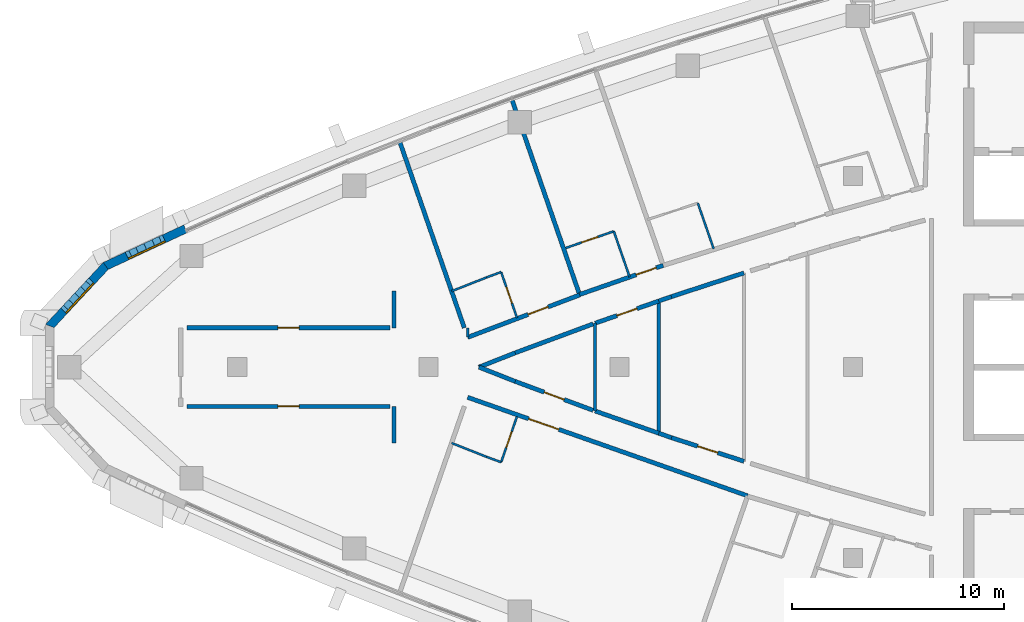
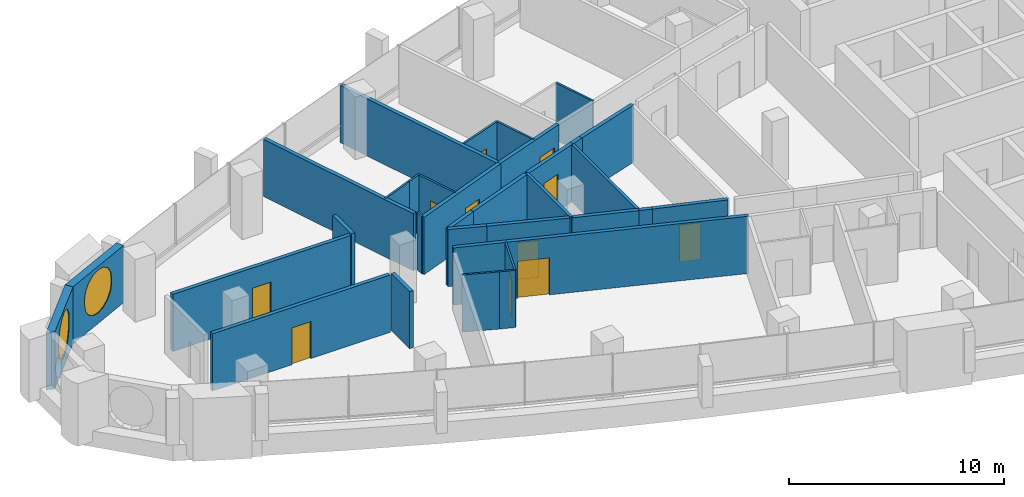
# One storey, part 7 of 14: 33 walls, 11 doors, 2 windows, 13 openings.
"""IFC4 building model written with IfcOpenShell, lengths in metres."""

from ifc_helpers import new_model, si_unit, direction, frame, frame_2d, origin, place, context, subcontext, project, spatial, polyline, rectangle, outline, extrude, material, layer, layer_set, type_object, element, fill, save


model = new_model("IFC4")

# Units and contexts
model_context = context("Model", 3, precision=1e-05, world=origin(), true_north=direction((0.0, 1.0)))
body_context = subcontext(model_context, "Body", "Model", "MODEL_VIEW")
ifc_project = project(units=[si_unit("LENGTHUNIT", "METRE"), si_unit("AREAUNIT", "SQUARE_METRE"), si_unit("VOLUMEUNIT", "CUBIC_METRE"), si_unit("PLANEANGLEUNIT", "RADIAN"), si_unit("MASSUNIT", "GRAM", prefix="KILO")], contexts=[model_context])

# Site, building, storey
site_placement = place(None, origin())
site = spatial("IfcSite", under=ifc_project, at=site_placement, CompositionType="ELEMENT")
building_placement = place(site_placement, origin())
building = spatial("IfcBuilding", under=site, at=building_placement, Name="Ostrand Prow Hotel Tower", CompositionType="ELEMENT")
storey_placement = place(building_placement, frame((0.0, 0.0, 296.300048828125)))
storey = spatial("IfcBuildingStorey", under=building, at=storey_placement, Name="L75", CompositionType="ELEMENT", Elevation=296.300048828125)

# Walls
ifc_material_1 = material(Name="Plasterboard partition")
ifc_layer_1 = layer(ifc_material_1, 0.10009765625)
ifc_layer_set_1 = layer_set([ifc_layer_1], Name="Plasterboard partition")
wall_type_1 = type_object("IfcWallType", Name="Partition 100 bathroom wall", PredefinedType="PARTITIONING", material=ifc_layer_set_1)
wall_1_placement = place(storey_placement, frame((26.095703125, 3.576171875, 0.0), z_axis=(0.0, 0.0, 1.0), x_axis=(0.930254925629, 0.366913850028, 0.0)))
element("IfcWall", 1, at=wall_1_placement, inside=storey, type_object=wall_type_1, Name="BATHROOM WALL", PredefinedType="PARTITIONING", context=body_context, shape_type="SweptSolid", body=[
    extrude(rectangle(XDim=1.760009765625, YDim=0.10009765625, at=frame_2d((0.8798828125, 0.0))), origin(), (0.0, 0.0, 1.0), 3.25),
])
wall_2_placement = place(storey_placement, frame((27.73291015625, 4.221923828125, 0.0), z_axis=(0.0, 0.0, 1.0), x_axis=(0.937514267289, 0.347946833049, 0.0)))
element("IfcWall", 2, at=wall_2_placement, inside=storey, type_object=wall_type_1, Name="BATHROOM WALL", PredefinedType="PARTITIONING", context=body_context, shape_type="SweptSolid", body=[
    extrude(rectangle(XDim=0.74169921875, YDim=0.10009765625, at=frame_2d((0.370849609375, 0.0))), origin(), (0.0, 0.0, 1.0), 3.25),
])

# Wall, opening, door
wall_3_placement = place(storey_placement, frame((28.42822265625, 4.47998046875, 0.0), z_axis=(0.0, 0.0, 1.0), x_axis=(0.327718024288, -0.944775579996, 0.0)))
wall_3 = element("IfcWall", 3, at=wall_3_placement, inside=storey, type_object=wall_type_1, Name="BATHROOM WALL", PredefinedType="PARTITIONING", context=body_context, shape_type="SweptSolid", body=[
    extrude(rectangle(XDim=2.27734375, YDim=0.10009765625, at=frame_2d((1.138671875, 0.0))), origin(), (0.0, 0.0, 1.0), 3.25),
])
opening_1_placement = place(wall_3_placement, frame((0.75, 0.0, 0.0)))
opening_1 = element("IfcOpeningElement", 4, at=opening_1_placement, cuts=wall_3, Name="Opening D2", PredefinedType="OPENING", context=body_context, shape_type="SweptSolid", body=[
    extrude(rectangle(XDim=0.800048828125, YDim=2.10009765625, at=frame_2d((0.39990234375, 1.050048828125))), frame((0.0, 0.06005859375, 0.0), z_axis=(0.0, -1.0, 0.0), x_axis=(1.0, 0.0, 0.0)), (0.0, 0.0, 1.0), 0.1201171875),
])
ifc_material_2 = material(Name="Timber door leaf", Category="wood")
door_type_1 = type_object("IfcDoorType", Name="Bathroom door 800", OperationType="SINGLE_SWING_LEFT", PredefinedType="DOOR", material=ifc_material_2)
door_1_placement = place(opening_1_placement, origin())
door_1 = element("IfcDoor", 5, at=door_1_placement, inside=storey, type_object=door_type_1, Name="DOOR", OperationType="SINGLE_SWING_LEFT", OverallHeight=2.10009765625, OverallWidth=0.800048828125, PredefinedType="DOOR", context=body_context, shape_type="SweptSolid", body=[
    extrude(rectangle(XDim=0.800048828125, YDim=2.10009765625, at=frame_2d((0.39990234375, 1.050048828125))), frame((0.0, 0.02490234375, 0.0), z_axis=(0.0, -1.0, 0.0), x_axis=(1.0, 0.0, 0.0)), (0.0, 0.0, 1.0), 0.050048828125),
])
fill(opening_1, door_1)

wall_4_placement = place(storey_placement, frame((31.472900390625, 5.610595703125, 0.0), z_axis=(0.0, 0.0, 1.0), x_axis=(0.944305532659, 0.329069994059, 0.0)))
wall_4 = element("IfcWall", 6, at=wall_4_placement, inside=storey, type_object=wall_type_1, Name="BATHROOM WALL", PredefinedType="PARTITIONING", context=body_context, shape_type="SweptSolid", body=[
    extrude(rectangle(XDim=2.395751953125, YDim=0.10009765625, at=frame_2d((1.19775390625, 0.0))), origin(), (0.0, 0.0, 1.0), 3.25),
])
opening_2_placement = place(wall_4_placement, frame((0.800048828125, 0.0, 0.0)))
opening_2 = element("IfcOpeningElement", 7, at=opening_2_placement, cuts=wall_4, Name="Opening D2", PredefinedType="OPENING", context=body_context, shape_type="SweptSolid", body=[
    extrude(rectangle(XDim=0.800048828125, YDim=2.10009765625, at=frame_2d((0.39990234375, 1.050048828125))), frame((0.0, 0.06005859375, 0.0), z_axis=(0.0, -1.0, 0.0), x_axis=(1.0, 0.0, 0.0)), (0.0, 0.0, 1.0), 0.1201171875),
])
door_2_placement = place(opening_2_placement, origin())
door_2 = element("IfcDoor", 8, at=door_2_placement, inside=storey, type_object=door_type_1, Name="DOOR", OperationType="SINGLE_SWING_LEFT", OverallHeight=2.10009765625, OverallWidth=0.800048828125, PredefinedType="DOOR", context=body_context, shape_type="SweptSolid", body=[
    extrude(rectangle(XDim=0.800048828125, YDim=2.10009765625, at=frame_2d((0.39990234375, 1.050048828125))), frame((0.0, 0.02490234375, 0.0), z_axis=(0.0, -1.0, 0.0), x_axis=(1.0, 0.0, 0.0)), (0.0, 0.0, 1.0), 0.050048828125),
])
fill(opening_2, door_2)

# Walls
wall_5_placement = place(storey_placement, frame((33.7353515625, 6.39892578125, 0.0), z_axis=(0.0, 0.0, 1.0), x_axis=(0.32768871219, -0.944785747089, 0.0)))
element("IfcWall", 9, at=wall_5_placement, inside=storey, type_object=wall_type_1, Name="BATHROOM WALL", PredefinedType="PARTITIONING", context=body_context, shape_type="SweptSolid", body=[
    extrude(rectangle(XDim=2.27685546875, YDim=0.10009765625, at=frame_2d((1.138427734375, 0.0))), origin(), (0.0, 0.0, 1.0), 3.25),
])
wall_6_placement = place(storey_placement, frame((37.694091796875, 7.72412109375, 0.0), z_axis=(0.0, 0.0, 1.0), x_axis=(0.327622330203, -0.944808768351, 0.0)))
element("IfcWall", 10, at=wall_6_placement, inside=storey, type_object=wall_type_1, Name="BATHROOM WALL", PredefinedType="PARTITIONING", context=body_context, shape_type="SweptSolid", body=[
    extrude(rectangle(XDim=2.27734375, YDim=0.10009765625, at=frame_2d((1.138671875, 0.0))), origin(), (0.0, 0.0, 1.0), 3.25),
])

# Wall, opening, door
wall_7_placement = place(storey_placement, frame((29.174560546875, -2.328369140625, 0.0), z_axis=(0.0, 0.0, 1.0), x_axis=(-0.327718024288, -0.944775579996, 0.0)))
wall_7 = element("IfcWall", 11, at=wall_7_placement, inside=storey, type_object=wall_type_1, Name="BATHROOM WALL", PredefinedType="PARTITIONING", context=body_context, shape_type="SweptSolid", body=[
    extrude(rectangle(XDim=2.27734375, YDim=0.10009765625, at=frame_2d((1.138671875, 0.0))), origin(), (0.0, 0.0, 1.0), 3.25),
])
opening_3_placement = place(wall_7_placement, frame((0.75, 0.0, 0.0)))
opening_3 = element("IfcOpeningElement", 12, at=opening_3_placement, cuts=wall_7, Name="Opening D2", PredefinedType="OPENING", context=body_context, shape_type="SweptSolid", body=[
    extrude(rectangle(XDim=0.800048828125, YDim=2.10009765625, at=frame_2d((0.39990234375, 1.050048828125))), frame((0.0, 0.06005859375, 0.0), z_axis=(0.0, -1.0, 0.0), x_axis=(1.0, 0.0, 0.0)), (0.0, 0.0, 1.0), 0.1201171875),
])
door_3_placement = place(opening_3_placement, origin())
door_3 = element("IfcDoor", 13, at=door_3_placement, inside=storey, type_object=door_type_1, Name="DOOR", OperationType="SINGLE_SWING_LEFT", OverallHeight=2.10009765625, OverallWidth=0.800048828125, PredefinedType="DOOR", context=body_context, shape_type="SweptSolid", body=[
    extrude(rectangle(XDim=0.800048828125, YDim=2.10009765625, at=frame_2d((0.39990234375, 1.050048828125))), frame((0.0, 0.02490234375, 0.0), z_axis=(0.0, -1.0, 0.0), x_axis=(1.0, 0.0, 0.0)), (0.0, 0.0, 1.0), 0.050048828125),
])
fill(opening_3, door_3)

# Walls
wall_8_placement = place(storey_placement, frame((28.42822265625, -4.47998046875, 0.0), z_axis=(0.0, 0.0, 1.0), x_axis=(-0.937514267289, 0.347946833049, 0.0)))
element("IfcWall", 14, at=wall_8_placement, inside=storey, type_object=wall_type_1, Name="BATHROOM WALL", PredefinedType="PARTITIONING", context=body_context, shape_type="SweptSolid", body=[
    extrude(rectangle(XDim=0.74169921875, YDim=0.10009765625, at=frame_2d((0.370849609375, 0.0))), origin(), (0.0, 0.0, 1.0), 3.25),
])
wall_9_placement = place(storey_placement, frame((27.73291015625, -4.221923828125, 0.0), z_axis=(0.0, 0.0, 1.0), x_axis=(-0.930254925629, 0.366913850028, 0.0)))
element("IfcWall", 15, at=wall_9_placement, inside=storey, type_object=wall_type_1, Name="BATHROOM WALL", PredefinedType="PARTITIONING", context=body_context, shape_type="SweptSolid", body=[
    extrude(rectangle(XDim=1.760009765625, YDim=0.10009765625, at=frame_2d((0.8798828125, 0.0))), origin(), (0.0, 0.0, 1.0), 3.25),
])
wall_10_placement = place(storey_placement, frame((26.8564453125, 1.4091796875, 0.0), z_axis=(0.0, 0.0, 1.0), x_axis=(-0.003863105832, 0.999992538179, 0.0)))
element("IfcWall", 16, at=wall_10_placement, inside=storey, type_object=wall_type_1, Name="BATHROOM WALL", PredefinedType="PARTITIONING", context=body_context, shape_type="SweptSolid", body=[
    extrude(rectangle(XDim=0.4423828125, YDim=0.10009765625, at=frame_2d((0.22119140625, 0.0))), origin(), (0.0, 0.0, 1.0), 3.25),
])
ifc_material_3 = material(Name="Plasterboard partition")
ifc_layer_2 = layer(ifc_material_3, 0.14990234375)
ifc_layer_set_2 = layer_set([ifc_layer_2], Name="Plasterboard partition")
wall_type_2 = type_object("IfcWallType", Name="Partition 150 room partition", PredefinedType="PARTITIONING", material=ifc_layer_set_2)
wall_11_placement = place(storey_placement, frame((32.85498046875, -2.06787109375, 0.0), z_axis=(0.0, 0.0, 1.0), x_axis=(0.0, 1.0, 0.0)))
element("IfcWall", 17, at=wall_11_placement, inside=storey, type_object=wall_type_2, Name="ROOM PARTITION", PredefinedType="PARTITIONING", context=body_context, shape_type="SweptSolid", body=[
    extrude(rectangle(XDim=4.1357421875, YDim=0.14990234375, at=frame_2d((2.06787109375, 0.0))), origin(), (0.0, 0.0, 1.0), 3.25),
])
wall_12_placement = place(storey_placement, frame((35.85498046875, -3.11376953125, 0.0), z_axis=(0.0, 0.0, 1.0), x_axis=(0.0, 1.0, 0.0)))
element("IfcWall", 18, at=wall_12_placement, inside=storey, type_object=wall_type_2, Name="ROOM PARTITION", PredefinedType="PARTITIONING", context=body_context, shape_type="SweptSolid", body=[
    extrude(rectangle(XDim=6.2275390625, YDim=0.14990234375, at=frame_2d((3.11376953125, 0.0))), origin(), (0.0, 0.0, 1.0), 3.25),
])

# Wall, opening, door
ifc_material_4 = material(Name="Plasterboard partition")
ifc_layer_3 = layer(ifc_material_4, 0.199951171875)
ifc_layer_set_3 = layer_set([ifc_layer_3], Name="Plasterboard partition")
wall_type_3 = type_object("IfcWallType", Name="Partition 200 corridor wall", PredefinedType="PARTITIONING", material=ifc_layer_set_3)
wall_13_placement = place(storey_placement, frame((13.63720703125, 1.85009765625, 0.0), z_axis=(0.0, 0.0, 1.0), x_axis=(1.0, 0.0, 0.0)))
wall_13 = element("IfcWall", 19, at=wall_13_placement, inside=storey, type_object=wall_type_3, Name="CORRIDOR WALL", PredefinedType="PARTITIONING", context=body_context, shape_type="SweptSolid", body=[
    extrude(rectangle(XDim=9.548583984375, YDim=0.199951171875, at=frame_2d((4.7744140625, 0.0))), origin(), (0.0, 0.0, 1.0), 3.25),
])
opening_4_placement = place(wall_13_placement, frame((4.2744140625, 0.0, 0.0)))
opening_4 = element("IfcOpeningElement", 20, at=opening_4_placement, cuts=wall_13, Name="Opening D1", PredefinedType="OPENING", context=body_context, shape_type="SweptSolid", body=[
    extrude(rectangle(XDim=1.0, YDim=2.10009765625, at=frame_2d((0.5, 1.050048828125))), frame((0.0, 0.10986328125, 0.0), z_axis=(0.0, -1.0, 0.0), x_axis=(1.0, 0.0, 0.0)), (0.0, 0.0, 1.0), 0.219970703125),
])
ifc_material_5 = material(Name="Timber door leaf", Category="wood")
door_type_2 = type_object("IfcDoorType", Name="Guest room door 1000", OperationType="SINGLE_SWING_LEFT", PredefinedType="DOOR", material=ifc_material_5)
door_4_placement = place(opening_4_placement, origin())
door_4 = element("IfcDoor", 21, at=door_4_placement, inside=storey, type_object=door_type_2, Name="DOOR", OperationType="SINGLE_SWING_LEFT", OverallHeight=2.10009765625, OverallWidth=1.0, PredefinedType="DOOR", context=body_context, shape_type="SweptSolid", body=[
    extrude(rectangle(XDim=1.0, YDim=2.10009765625, at=frame_2d((0.5, 1.050048828125))), frame((0.0, 0.02490234375, 0.0), z_axis=(0.0, -1.0, 0.0), x_axis=(1.0, 0.0, 0.0)), (0.0, 0.0, 1.0), 0.050048828125),
])
fill(opening_4, door_4)

wall_14_placement = place(storey_placement, frame((13.63720703125, -1.85009765625, 0.0), z_axis=(0.0, 0.0, 1.0), x_axis=(1.0, 0.0, 0.0)))
wall_14 = element("IfcWall", 22, at=wall_14_placement, inside=storey, type_object=wall_type_3, Name="CORRIDOR WALL", PredefinedType="PARTITIONING", context=body_context, shape_type="SweptSolid", body=[
    extrude(rectangle(XDim=9.548583984375, YDim=0.199951171875, at=frame_2d((4.7744140625, 0.0))), origin(), (0.0, 0.0, 1.0), 3.25),
])
opening_5_placement = place(wall_14_placement, frame((4.2744140625, 0.0, 0.0)))
opening_5 = element("IfcOpeningElement", 23, at=opening_5_placement, cuts=wall_14, Name="Opening D1R", PredefinedType="OPENING", context=body_context, shape_type="SweptSolid", body=[
    extrude(rectangle(XDim=1.0, YDim=2.10009765625, at=frame_2d((0.5, 1.050048828125))), frame((0.0, 0.10986328125, 0.0), z_axis=(0.0, -1.0, 0.0), x_axis=(1.0, 0.0, 0.0)), (0.0, 0.0, 1.0), 0.219970703125),
])
ifc_material_6 = material(Name="Timber door leaf", Category="wood")
door_type_3 = type_object("IfcDoorType", Name="Guest room door 1000 right", OperationType="SINGLE_SWING_RIGHT", PredefinedType="DOOR", material=ifc_material_6)
door_5_placement = place(opening_5_placement, origin())
door_5 = element("IfcDoor", 24, at=door_5_placement, inside=storey, type_object=door_type_3, Name="DOOR", OperationType="SINGLE_SWING_RIGHT", OverallHeight=2.10009765625, OverallWidth=1.0, PredefinedType="DOOR", context=body_context, shape_type="SweptSolid", body=[
    extrude(rectangle(XDim=1.0, YDim=2.10009765625, at=frame_2d((0.5, 1.050048828125))), frame((0.0, 0.02490234375, 0.0), z_axis=(0.0, -1.0, 0.0), x_axis=(1.0, 0.0, 0.0)), (0.0, 0.0, 1.0), 0.050048828125),
])
fill(opening_5, door_5)

wall_15_placement = place(storey_placement, frame((26.85009765625, 1.4013671875, 0.0), z_axis=(0.0, 0.0, 1.0), x_axis=(0.935181367748, 0.354169181912, 0.0)))
wall_15 = element("IfcWall", 25, at=wall_15_placement, inside=storey, type_object=wall_type_3, Name="CORRIDOR WALL", PredefinedType="PARTITIONING", context=body_context, shape_type="SweptSolid", body=[
    extrude(rectangle(XDim=5.64501953125, YDim=0.199951171875, at=frame_2d((2.822509765625, 0.0))), origin(), (0.0, 0.0, 1.0), 3.25),
])
opening_6_placement = place(wall_15_placement, frame((3.050048828125, 0.0, 0.0)))
opening_6 = element("IfcOpeningElement", 26, at=opening_6_placement, cuts=wall_15, Name="Opening D1", PredefinedType="OPENING", context=body_context, shape_type="SweptSolid", body=[
    extrude(rectangle(XDim=1.0, YDim=2.10009765625, at=frame_2d((0.5, 1.050048828125))), frame((0.0, 0.10986328125, 0.0), z_axis=(0.0, -1.0, 0.0), x_axis=(1.0, 0.0, 0.0)), (0.0, 0.0, 1.0), 0.219970703125),
])
door_6_placement = place(opening_6_placement, origin())
door_6 = element("IfcDoor", 27, at=door_6_placement, inside=storey, type_object=door_type_2, Name="DOOR", OperationType="SINGLE_SWING_LEFT", OverallHeight=2.10009765625, OverallWidth=1.0, PredefinedType="DOOR", context=body_context, shape_type="SweptSolid", body=[
    extrude(rectangle(XDim=1.0, YDim=2.10009765625, at=frame_2d((0.5, 1.050048828125))), frame((0.0, 0.02490234375, 0.0), z_axis=(0.0, -1.0, 0.0), x_axis=(1.0, 0.0, 0.0)), (0.0, 0.0, 1.0), 0.050048828125),
])
fill(opening_6, door_6)

wall_16_placement = place(storey_placement, frame((36.064208984375, 4.794189453125, 0.0), z_axis=(0.0, 0.0, 1.0), x_axis=(-0.944236129554, -0.329269086986, 0.0)))
wall_16 = element("IfcWall", 28, at=wall_16_placement, inside=storey, type_object=wall_type_3, Name="CORRIDOR WALL", PredefinedType="PARTITIONING", context=body_context, shape_type="SweptSolid", body=[
    extrude(rectangle(XDim=4.17431640625, YDim=0.199951171875, at=frame_2d((2.087158203125, 0.0))), origin(), (0.0, 0.0, 1.0), 3.25),
])
opening_7_placement = place(wall_16_placement, frame((0.35009765625, 0.0, 0.0)))
opening_7 = element("IfcOpeningElement", 29, at=opening_7_placement, cuts=wall_16, Name="Opening D1", PredefinedType="OPENING", context=body_context, shape_type="SweptSolid", body=[
    extrude(rectangle(XDim=1.0, YDim=2.10009765625, at=frame_2d((0.5, 1.050048828125))), frame((0.0, 0.10986328125, 0.0), z_axis=(0.0, -1.0, 0.0), x_axis=(1.0, 0.0, 0.0)), (0.0, 0.0, 1.0), 0.219970703125),
])
door_7_placement = place(opening_7_placement, origin())
door_7 = element("IfcDoor", 30, at=door_7_placement, inside=storey, type_object=door_type_2, Name="DOOR", OperationType="SINGLE_SWING_LEFT", OverallHeight=2.10009765625, OverallWidth=1.0, PredefinedType="DOOR", context=body_context, shape_type="SweptSolid", body=[
    extrude(rectangle(XDim=1.0, YDim=2.10009765625, at=frame_2d((0.5, 1.050048828125))), frame((0.0, 0.02490234375, 0.0), z_axis=(0.0, -1.0, 0.0), x_axis=(1.0, 0.0, 0.0)), (0.0, 0.0, 1.0), 0.050048828125),
])
fill(opening_7, door_7)

wall_17_placement = place(storey_placement, frame((26.85009765625, -1.4228515625, 0.0), z_axis=(0.0, 0.0, 1.0), x_axis=(0.943328585164, -0.331860182022, 0.0)))
wall_17 = element("IfcWall", 31, at=wall_17_placement, inside=storey, type_object=wall_type_3, Name="CORRIDOR WALL", PredefinedType="PARTITIONING", context=body_context, shape_type="SweptSolid", body=[
    extrude(rectangle(XDim=13.984375, YDim=0.199951171875, at=frame_2d((6.9921875, 0.0))), origin(), (0.0, 0.0, 1.0), 3.25),
])
opening_8_placement = place(wall_17_placement, frame((3.050048828125, 0.0, 0.0)))
opening_8 = element("IfcOpeningElement", 32, at=opening_8_placement, cuts=wall_17, Name="Opening D15", PredefinedType="OPENING", context=body_context, shape_type="SweptSolid", body=[
    extrude(rectangle(XDim=1.5, YDim=2.10009765625, at=frame_2d((0.75, 1.050048828125))), frame((0.0, 0.10986328125, 0.0), z_axis=(0.0, -1.0, 0.0), x_axis=(1.0, 0.0, 0.0)), (0.0, 0.0, 1.0), 0.219970703125),
])
ifc_material_7 = material(Name="Timber door leaf", Category="wood")
door_type_4 = type_object("IfcDoorType", Name="Double door 1500", OperationType="DOUBLE_DOOR_SINGLE_SWING", PredefinedType="DOOR", material=ifc_material_7)
door_8_placement = place(opening_8_placement, origin())
door_8 = element("IfcDoor", 33, at=door_8_placement, inside=storey, type_object=door_type_4, Name="DOOR", OperationType="DOUBLE_DOOR_SINGLE_SWING", OverallHeight=2.10009765625, OverallWidth=1.5, PredefinedType="DOOR", context=body_context, shape_type="SweptSolid", body=[
    extrude(rectangle(XDim=1.5, YDim=2.10009765625, at=frame_2d((0.75, 1.050048828125))), frame((0.0, 0.02490234375, 0.0), z_axis=(0.0, -1.0, 0.0), x_axis=(1.0, 0.0, 0.0)), (0.0, 0.0, 1.0), 0.050048828125),
])
fill(opening_8, door_8)

wall_18_placement = place(storey_placement, frame((32.759765625, -2.034912109375, 0.0), z_axis=(0.0, 0.0, 1.0), x_axis=(-0.937460178932, 0.348092534992, 0.0)))
wall_18 = element("IfcWall", 34, at=wall_18_placement, inside=storey, type_object=wall_type_3, Name="CORRIDOR WALL", PredefinedType="PARTITIONING", context=body_context, shape_type="SweptSolid", body=[
    extrude(rectangle(XDim=3.912841796875, YDim=0.199951171875, at=frame_2d((1.95654296875, 0.0))), origin(), (0.0, 0.0, 1.0), 3.25),
])
opening_9_placement = place(wall_18_placement, frame((1.45654296875, 0.0, 0.0)))
opening_9 = element("IfcOpeningElement", 35, at=opening_9_placement, cuts=wall_18, Name="Opening D1", PredefinedType="OPENING", context=body_context, shape_type="SweptSolid", body=[
    extrude(rectangle(XDim=1.0, YDim=2.10009765625, at=frame_2d((0.5, 1.050048828125))), frame((0.0, 0.10986328125, 0.0), z_axis=(0.0, -1.0, 0.0), x_axis=(1.0, 0.0, 0.0)), (0.0, 0.0, 1.0), 0.219970703125),
])
door_9_placement = place(opening_9_placement, origin())
door_9 = element("IfcDoor", 36, at=door_9_placement, inside=storey, type_object=door_type_2, Name="DOOR", OperationType="SINGLE_SWING_LEFT", OverallHeight=2.10009765625, OverallWidth=1.0, PredefinedType="DOOR", context=body_context, shape_type="SweptSolid", body=[
    extrude(rectangle(XDim=1.0, YDim=2.10009765625, at=frame_2d((0.5, 1.050048828125))), frame((0.0, 0.02490234375, 0.0), z_axis=(0.0, -1.0, 0.0), x_axis=(1.0, 0.0, 0.0)), (0.0, 0.0, 1.0), 0.050048828125),
])
fill(opening_9, door_9)

# Walls
for number, where, z_axis, x_axis, name in (
    (37, (29.091552734375, -0.6728515625, 0.0), (0.0, 0.0, 1.0), (-0.930265251482, 0.366887669302, 0.0), "CORRIDOR WALL"),
    (38, (27.385498046875, 0.0, 0.0), (0.0, 0.0, 1.0), (0.930265251482, 0.366887669302, 0.0), "CORRIDOR WALL"),
):
    element("IfcWall", number, at=place(storey_placement, frame(where, z_axis=z_axis, x_axis=x_axis)), inside=storey, type_object=wall_type_3, Name=name, PredefinedType="PARTITIONING", context=body_context, shape_type="SweptSolid", body=[
        extrude(rectangle(XDim=1.833984375, YDim=0.199951171875, at=frame_2d((0.9169921875, 0.0))), origin(), (0.0, 0.0, 1.0), 3.25),
    ])
wall_19_placement = place(storey_placement, frame((29.091552734375, 0.6728515625, 0.0), z_axis=(0.0, 0.0, 1.0), x_axis=(0.937460178932, 0.348092534992, 0.0)))
element("IfcWall", 39, at=wall_19_placement, inside=storey, type_object=wall_type_3, Name="CORRIDOR WALL", PredefinedType="PARTITIONING", context=body_context, shape_type="SweptSolid", body=[
    extrude(rectangle(XDim=3.912841796875, YDim=0.199951171875, at=frame_2d((1.95654296875, 0.0))), origin(), (0.0, 0.0, 1.0), 3.25),
])

# Wall, opening, door
wall_20_placement = place(storey_placement, frame((32.85498046875, 2.06787109375, 0.0), z_axis=(0.0, 0.0, 1.0), x_axis=(0.944260188635, 0.329200085296, 0.0)))
wall_20 = element("IfcWall", 40, at=wall_20_placement, inside=storey, type_object=wall_type_3, Name="CORRIDOR WALL", PredefinedType="PARTITIONING", context=body_context, shape_type="SweptSolid", body=[
    extrude(rectangle(XDim=3.177001953125, YDim=0.199951171875, at=frame_2d((1.58837890625, 0.0))), origin(), (0.0, 0.0, 1.0), 3.25),
])
opening_10_placement = place(wall_20_placement, frame((1.08837890625, 0.0, 0.0)))
opening_10 = element("IfcOpeningElement", 41, at=opening_10_placement, cuts=wall_20, Name="Opening D1R", PredefinedType="OPENING", context=body_context, shape_type="SweptSolid", body=[
    extrude(rectangle(XDim=1.0, YDim=2.10009765625, at=frame_2d((0.5, 1.050048828125))), frame((0.0, 0.10986328125, 0.0), z_axis=(0.0, -1.0, 0.0), x_axis=(1.0, 0.0, 0.0)), (0.0, 0.0, 1.0), 0.219970703125),
])
door_10_placement = place(opening_10_placement, origin())
door_10 = element("IfcDoor", 42, at=door_10_placement, inside=storey, type_object=door_type_3, Name="DOOR", OperationType="SINGLE_SWING_RIGHT", OverallHeight=2.10009765625, OverallWidth=1.0, PredefinedType="DOOR", context=body_context, shape_type="SweptSolid", body=[
    extrude(rectangle(XDim=1.0, YDim=2.10009765625, at=frame_2d((0.5, 1.050048828125))), frame((0.0, 0.02490234375, 0.0), z_axis=(0.0, -1.0, 0.0), x_axis=(1.0, 0.0, 0.0)), (0.0, 0.0, 1.0), 0.050048828125),
])
fill(opening_10, door_10)

# Wall
wall_21_placement = place(storey_placement, frame((35.85498046875, -3.11376953125, 0.0), z_axis=(0.0, 0.0, 1.0), x_axis=(-0.944260188635, 0.329200085296, 0.0)))
element("IfcWall", 43, at=wall_21_placement, inside=storey, type_object=wall_type_3, Name="CORRIDOR WALL", PredefinedType="PARTITIONING", context=body_context, shape_type="SweptSolid", body=[
    extrude(rectangle(XDim=3.177001953125, YDim=0.199951171875, at=frame_2d((1.58837890625, 0.0))), origin(), (0.0, 0.0, 1.0), 3.25),
])

# Wall, opening, door
wall_22_placement = place(storey_placement, frame((39.865966796875, -4.435302734375, 0.0), z_axis=(0.0, 0.0, 1.0), x_axis=(-0.950718067733, 0.310056697535, 0.0)))
wall_22 = element("IfcWall", 44, at=wall_22_placement, inside=storey, type_object=wall_type_3, Name="CORRIDOR WALL", PredefinedType="PARTITIONING", context=body_context, shape_type="SweptSolid", body=[
    extrude(rectangle(XDim=3.588134765625, YDim=0.199951171875, at=frame_2d((1.7939453125, 0.0))), origin(), (0.0, 0.0, 1.0), 3.25),
])
opening_11_placement = place(wall_22_placement, frame((1.2939453125, 0.0, 0.0)))
opening_11 = element("IfcOpeningElement", 45, at=opening_11_placement, cuts=wall_22, Name="Opening D1", PredefinedType="OPENING", context=body_context, shape_type="SweptSolid", body=[
    extrude(rectangle(XDim=1.0, YDim=2.10009765625, at=frame_2d((0.5, 1.050048828125))), frame((0.0, 0.10986328125, 0.0), z_axis=(0.0, -1.0, 0.0), x_axis=(1.0, 0.0, 0.0)), (0.0, 0.0, 1.0), 0.219970703125),
])
door_11_placement = place(opening_11_placement, origin())
door_11 = element("IfcDoor", 46, at=door_11_placement, inside=storey, type_object=door_type_2, Name="DOOR", OperationType="SINGLE_SWING_LEFT", OverallHeight=2.10009765625, OverallWidth=1.0, PredefinedType="DOOR", context=body_context, shape_type="SweptSolid", body=[
    extrude(rectangle(XDim=1.0, YDim=2.10009765625, at=frame_2d((0.5, 1.050048828125))), frame((0.0, 0.02490234375, 0.0), z_axis=(0.0, -1.0, 0.0), x_axis=(1.0, 0.0, 0.0)), (0.0, 0.0, 1.0), 0.050048828125),
])
fill(opening_11, door_11)

# Walls
for number, where, z_axis, x_axis, name in (
    (47, (36.45458984375, -3.32275390625, 0.0), (0.0, 0.0, 1.0), (-0.944289130413, 0.329117058483, 0.0), "CORRIDOR WALL"),
    (48, (35.85498046875, 3.11376953125, 0.0), (0.0, 0.0, 1.0), (0.944289130413, 0.329117058483, 0.0), "CORRIDOR WALL"),
):
    element("IfcWall", number, at=place(storey_placement, frame(where, z_axis=z_axis, x_axis=x_axis)), inside=storey, type_object=wall_type_3, Name=name, PredefinedType="PARTITIONING", context=body_context, shape_type="SweptSolid", body=[
        extrude(rectangle(XDim=0.635009765625, YDim=0.199951171875, at=frame_2d((0.3173828125, 0.0))), origin(), (0.0, 0.0, 1.0), 3.25),
    ])
wall_23_placement = place(storey_placement, frame((36.45458984375, 3.32275390625, 0.0), z_axis=(0.0, 0.0, 1.0), x_axis=(0.950718067733, 0.310056697535, 0.0)))
element("IfcWall", 49, at=wall_23_placement, inside=storey, type_object=wall_type_3, Name="CORRIDOR WALL", PredefinedType="PARTITIONING", context=body_context, shape_type="SweptSolid", body=[
    extrude(rectangle(XDim=3.588134765625, YDim=0.199951171875, at=frame_2d((1.7939453125, 0.0))), origin(), (0.0, 0.0, 1.0), 3.25),
])
wall_24_placement = place(storey_placement, frame((23.3857421875, 3.580322265625, 0.0), z_axis=(0.0, 0.0, 1.0), x_axis=(0.0, -1.0, 0.0)))
element("IfcWall", 50, at=wall_24_placement, inside=storey, type_object=wall_type_3, Name="CORRIDOR WALL", PredefinedType="PARTITIONING", context=body_context, shape_type="SweptSolid", body=[
    extrude(rectangle(XDim=1.725341796875, YDim=0.199951171875, at=frame_2d((0.86279296875, 0.0))), origin(), (0.0, 0.0, 1.0), 3.25),
])
wall_25_placement = place(storey_placement, frame((23.3857421875, -1.85498046875, 0.0), z_axis=(0.0, 0.0, 1.0), x_axis=(0.0, -1.0, 0.0)))
element("IfcWall", 51, at=wall_25_placement, inside=storey, type_object=wall_type_3, Name="CORRIDOR WALL", PredefinedType="PARTITIONING", context=body_context, shape_type="SweptSolid", body=[
    extrude(rectangle(XDim=1.71533203125, YDim=0.199951171875, at=frame_2d((0.857666015625, 0.0))), origin(), (0.0, 0.0, 1.0), 3.25),
])
ifc_material_8 = material(Name="Plasterboard partition")
ifc_layer_4 = layer(ifc_material_8, 0.199951171875)
ifc_layer_set_4 = layer_set([ifc_layer_4], Name="Plasterboard partition")
wall_type_4 = type_object("IfcWallType", Name="Partition 200 key partition", PredefinedType="PARTITIONING", material=ifc_layer_set_4)
wall_26_placement = place(storey_placement, frame((26.6943359375, 1.85009765625, 0.0), z_axis=(0.0, 0.0, 1.0), x_axis=(-0.327714422317, 0.944776829418, 0.0)))
element("IfcWall", 52, at=wall_26_placement, inside=storey, type_object=wall_type_4, Name="KEY PARTITION", PredefinedType="PARTITIONING", context=body_context, shape_type="SweptSolid", body=[
    extrude(rectangle(XDim=9.2333984375, YDim=0.199951171875, at=frame_2d((4.61669921875, 0.0))), origin(), (0.0, 0.0, 1.0), 3.25),
])
wall_27_placement = place(storey_placement, frame((32.129150390625, 3.400634765625, 0.0), z_axis=(0.0, 0.0, 1.0), x_axis=(-0.327724115377, 0.944773467134, 0.0)))
element("IfcWall", 53, at=wall_27_placement, inside=storey, type_object=wall_type_4, Name="KEY PARTITION", PredefinedType="PARTITIONING", context=body_context, shape_type="SweptSolid", body=[
    extrude(rectangle(XDim=9.702392578125, YDim=0.199951171875, at=frame_2d((4.85107421875, 0.0))), origin(), (0.0, 0.0, 1.0), 3.25),
])

# Wall, opening, window
ifc_material_9 = material(Name="Precast concrete C40/50", Category="concrete")
ifc_layer_5 = layer(ifc_material_9, 0.39990234375)
ifc_layer_set_5 = layer_set([ifc_layer_5], Name="Precast concrete C40/50")
wall_type_5 = type_object("IfcWallType", Name="Stone-faced precast wall 400 mm", PredefinedType="NOTDEFINED", material=ifc_layer_set_5)
wall_28_placement = place(storey_placement, frame((13.55859375, 6.5146484375, 0.0), z_axis=(0.0, 0.0, 1.0), x_axis=(-0.906485602396, -0.42223672584, 0.0)))
wall_28 = element("IfcWall", 54, at=wall_28_placement, inside=storey, type_object=wall_type_5, Name="Stone-faced wall prow 1", PredefinedType="NOTDEFINED", context=body_context, shape_type="SweptSolid", body=[
    extrude(outline(polyline([(0.0, -0.199951171875), (4.1806640625, -0.199951171875), (4.1025390625, 0.199951171875), (0.0, 0.199951171875), (0.0, -0.199951171875)])), origin(), (0.0, 0.0, 1.0), 3.25),
])
opening_12_placement = place(wall_28_placement, frame((0.970947265625, 0.0, 0.60009765625)))
opening_12 = element("IfcOpeningElement", 55, at=opening_12_placement, cuts=wall_28, Name="Opening WP1", PredefinedType="OPENING", context=body_context, shape_type="SweptSolid", body=[
    extrude(outline(polyline([(0.0, 1.35009765625), (0.083740234375, 1.77099609375), (0.322265625, 2.127685546875), (0.678955078125, 2.3662109375), (1.10009765625, 2.449951171875), (1.52099609375, 2.3662109375), (1.877685546875, 2.127685546875), (2.1162109375, 1.77099609375), (2.199951171875, 1.35009765625), (2.199951171875, 1.10009765625), (2.1162109375, 0.678955078125), (1.877685546875, 0.322265625), (1.52099609375, 0.083740234375), (1.10009765625, 0.0), (0.678955078125, 0.083740234375), (0.322265625, 0.322265625), (0.083740234375, 0.678955078125), (0.0, 1.099853515625), (0.0, 1.35009765625)])), frame((0.0, 0.2099609375, 0.0), z_axis=(0.0, -1.0, 0.0), x_axis=(1.0, 0.0, 0.0)), (0.0, 0.0, 1.0), 0.419921875),
])
ifc_material_10 = material(Name="Insulated glass in bronze frame", Category="glass")
window_type = type_object("IfcWindowType", Name="Round-ended prow window 2200x2450", PartitioningType="SINGLE_PANEL", PredefinedType="WINDOW", material=ifc_material_10)
window_1_placement = place(opening_12_placement, origin())
window_1 = element("IfcWindow", 56, at=window_1_placement, inside=storey, type_object=window_type, Name="Window prow 1.1", OverallHeight=2.449951171875, OverallWidth=2.199951171875, PartitioningType="SINGLE_PANEL", PredefinedType="WINDOW", context=body_context, shape_type="SweptSolid", body=[
    extrude(outline(polyline([(0.0, 1.35009765625), (0.083740234375, 1.77099609375), (0.322265625, 2.127685546875), (0.678955078125, 2.3662109375), (1.10009765625, 2.449951171875), (1.52099609375, 2.3662109375), (1.877685546875, 2.127685546875), (2.1162109375, 1.77099609375), (2.199951171875, 1.35009765625), (2.199951171875, 1.10009765625), (2.1162109375, 0.678955078125), (1.877685546875, 0.322265625), (1.52099609375, 0.083740234375), (1.10009765625, 0.0), (0.678955078125, 0.083740234375), (0.322265625, 0.322265625), (0.083740234375, 0.678955078125), (0.0, 1.099853515625), (0.0, 1.35009765625)])), frame((0.0, 0.169921875, 0.0), z_axis=(0.0, -1.0, 0.0), x_axis=(1.0, 0.0, 0.0)), (0.0, 0.0, 1.0), 0.06005859375),
])
fill(opening_12, window_1)

wall_29_placement = place(storey_placement, frame((9.80419921875, 4.765869140625, 0.0), z_axis=(0.0, 0.0, 1.0), x_axis=(-0.6815467277, -0.73177459505, 0.0)))
wall_29 = element("IfcWall", 57, at=wall_29_placement, inside=storey, type_object=wall_type_5, Name="Stone-faced wall prow 2", PredefinedType="NOTDEFINED", context=body_context, shape_type="SweptSolid", body=[
    extrude(outline(polyline([(-0.0390625, -0.199951171875), (3.94775390625, -0.199951171875), (3.79052734375, 0.199951171875), (0.0390625, 0.199951171875), (-0.0390625, -0.199951171875)])), origin(), (0.0, 0.0, 1.0), 3.25),
])
opening_13_placement = place(wall_29_placement, frame((0.834716796875, 0.0, 0.60009765625)))
opening_13 = element("IfcOpeningElement", 58, at=opening_13_placement, cuts=wall_29, Name="Opening WP1", PredefinedType="OPENING", context=body_context, shape_type="SweptSolid", body=[
    extrude(outline(polyline([(0.0, 1.35009765625), (0.083740234375, 1.77099609375), (0.322265625, 2.127685546875), (0.678955078125, 2.3662109375), (1.10009765625, 2.449951171875), (1.52099609375, 2.3662109375), (1.877685546875, 2.127685546875), (2.1162109375, 1.77099609375), (2.199951171875, 1.35009765625), (2.199951171875, 1.10009765625), (2.1162109375, 0.678955078125), (1.877685546875, 0.322265625), (1.52099609375, 0.083740234375), (1.10009765625, 0.0), (0.678955078125, 0.083740234375), (0.322265625, 0.322265625), (0.083740234375, 0.678955078125), (0.0, 1.099853515625), (0.0, 1.35009765625)])), frame((0.0, 0.2099609375, 0.0), z_axis=(0.0, -1.0, 0.0), x_axis=(1.0, 0.0, 0.0)), (0.0, 0.0, 1.0), 0.419921875),
])
window_2_placement = place(opening_13_placement, origin())
window_2 = element("IfcWindow", 59, at=window_2_placement, inside=storey, type_object=window_type, Name="Window prow 2.1", OverallHeight=2.449951171875, OverallWidth=2.199951171875, PartitioningType="SINGLE_PANEL", PredefinedType="WINDOW", context=body_context, shape_type="SweptSolid", body=[
    extrude(outline(polyline([(0.0, 1.35009765625), (0.083740234375, 1.77099609375), (0.322265625, 2.127685546875), (0.678955078125, 2.3662109375), (1.10009765625, 2.449951171875), (1.52099609375, 2.3662109375), (1.877685546875, 2.127685546875), (2.1162109375, 1.77099609375), (2.199951171875, 1.35009765625), (2.199951171875, 1.10009765625), (2.1162109375, 0.678955078125), (1.877685546875, 0.322265625), (1.52099609375, 0.083740234375), (1.10009765625, 0.0), (0.678955078125, 0.083740234375), (0.322265625, 0.322265625), (0.083740234375, 0.678955078125), (0.0, 1.099853515625), (0.0, 1.35009765625)])), frame((0.0, 0.169921875, 0.0), z_axis=(0.0, -1.0, 0.0), x_axis=(1.0, 0.0, 0.0)), (0.0, 0.0, 1.0), 0.06005859375),
])
fill(opening_13, window_2)

save(model, "model.ifc")
